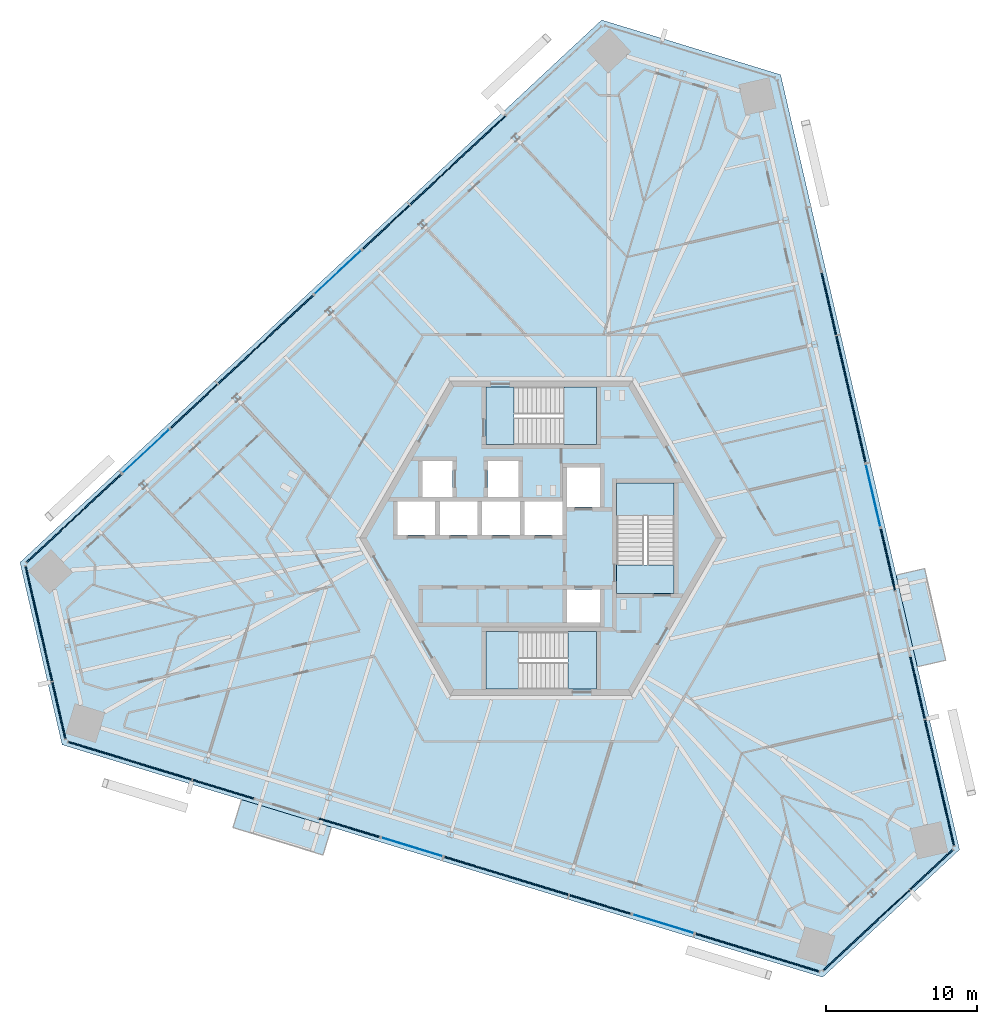
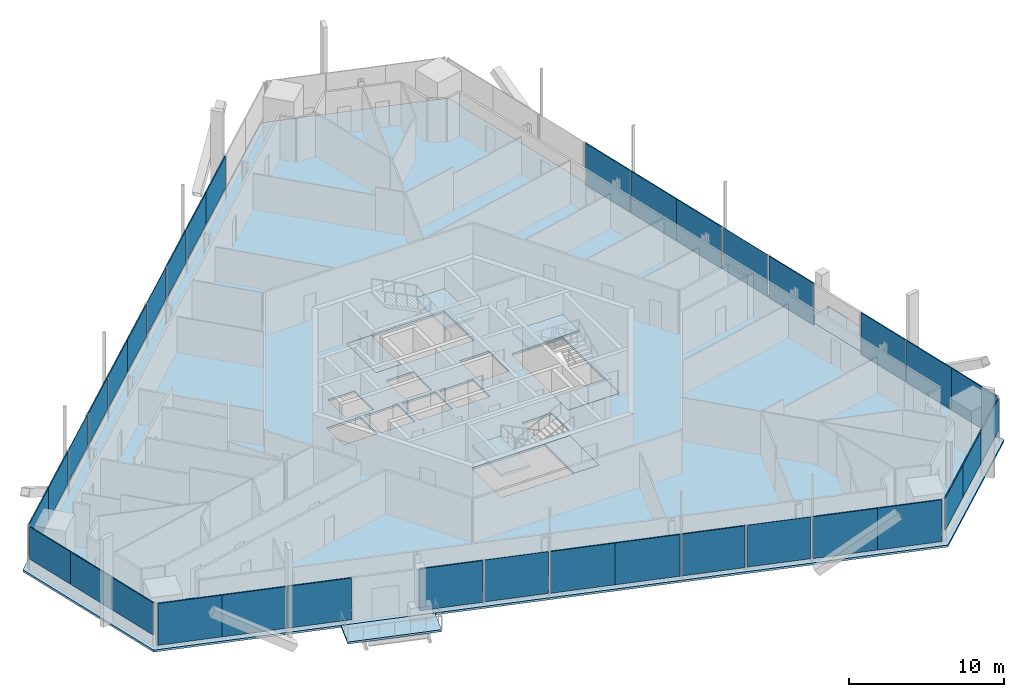
# One storey, part 11 of 24: 35 plates, 9 slabs, 20 elements without a shape of their own.
"""IFC4 building model written with IfcOpenShell, lengths in metres."""

from ifc_helpers import new_model, si_unit, direction, frame, origin, origin_2d, place, context, subcontext, project, spatial, polyline, rectangle, outline, extrude, source, transform, mapped, material, layer, layer_set, type_object, element, aggregate, save


model = new_model("IFC4")

# Units and contexts
model_context = context("Model", 3, precision=1e-05, world=origin(), true_north=direction((0.0, 1.0)))
body_context = subcontext(model_context, "Body", "Model", "MODEL_VIEW")
ifc_project = project(units=[si_unit("LENGTHUNIT", "METRE"), si_unit("AREAUNIT", "SQUARE_METRE"), si_unit("VOLUMEUNIT", "CUBIC_METRE"), si_unit("PLANEANGLEUNIT", "RADIAN"), si_unit("MASSUNIT", "GRAM", prefix="KILO")], contexts=[model_context])

# Site, building, storey
site_placement = place(None, origin())
site = spatial("IfcSite", under=ifc_project, at=site_placement, CompositionType="ELEMENT")
building_placement = place(site_placement, origin())
building = spatial("IfcBuilding", under=site, at=building_placement, Name="Triune Harvest Tower", CompositionType="ELEMENT")
storey_placement = place(building_placement, frame((0.0, 0.0, 127.10009765625)))
storey = spatial("IfcBuildingStorey", under=building, at=storey_placement, Name="L32", CompositionType="ELEMENT", Elevation=127.10009765625)

# Slabs
ifc_material_1 = material(Name="Concrete 40 MPa", Category="concrete")
ifc_layer_1 = layer(ifc_material_1, 0.159912109375)
ifc_layer_set_1 = layer_set([ifc_layer_1], Name="Concrete 40 MPa")
slab_type_1 = type_object("IfcSlabType", Name="BA-1 balcony slab 160", PredefinedType="FLOOR", material=ifc_layer_set_1)
slab_1_placement = place(storey_placement, frame((0.0, 0.0, -0.16015625)))
element("IfcSlab", 1, at=slab_1_placement, inside=storey, type_object=slab_type_1, Name="Balcony slab B3-F1 L32.4", PredefinedType="FLOOR", context=body_context, shape_type="SweptSolid", body=[
    extrude(outline(polyline([(24.875, -8.505615234375), (23.476318359375, -2.4462890625), (25.35791015625, -2.01171875), (26.7568359375, -8.0712890625), (24.875, -8.505615234375)])), origin(), (0.0, 0.0, 1.0), 0.16015625),
])
slab_2_placement = place(storey_placement, frame((0.0, 0.0, -0.16015625)))
element("IfcSlab", 2, at=slab_2_placement, inside=storey, type_object=slab_type_1, Name="Balcony slab B3-F5 L32.4", PredefinedType="FLOOR", context=body_context, shape_type="SweptSolid", body=[
    extrude(outline(polyline([(-19.8037109375, -17.28955078125), (-13.8564453125, -19.10791015625), (-14.421142578125, -20.954833984375), (-20.368408203125, -19.136474609375), (-19.8037109375, -17.28955078125)])), origin(), (0.0, 0.0, 1.0), 0.16015625),
])
ifc_material_2 = material(Name="Concrete 40 MPa", Category="concrete")
ifc_layer_2 = layer(ifc_material_2, 0.159912109375)
ifc_layer_set_2 = layer_set([ifc_layer_2], Name="Concrete 40 MPa")
slab_type_2 = type_object("IfcSlabType", Name="SL-1 Composite floor slab 160", PredefinedType="FLOOR", material=ifc_layer_set_2)
shared_shape_1 = source(origin(), body_context, "Body", "SweptSolid", [
    extrude(outline(polyline([(27.666748046875, -20.59765625), (15.83740234375, 30.641357421875), (4.004638671875, 34.2587890625), (-34.454833984375, -1.60498046875), (-31.67138671875, -13.661376953125), (18.617431640625, -29.0361328125), (27.666748046875, -20.59765625)]), holes=[polyline([(-7.0, 0.2099609375), (-7.0, 2.409912109375), (-9.5, 2.409912109375), (-9.5, 0.2099609375), (-7.0, 0.2099609375)]), polyline([(-4.199951171875, 0.2099609375), (-4.199951171875, 2.409912109375), (-6.699951171875, 2.409912109375), (-6.699951171875, 0.2099609375), (-4.199951171875, 0.2099609375)]), polyline([(-1.39990234375, 0.2099609375), (-1.39990234375, 2.409912109375), (-3.89990234375, 2.409912109375), (-3.89990234375, 0.2099609375), (-1.39990234375, 0.2099609375)]), polyline([(1.39990234375, 0.2099609375), (1.39990234375, 2.409912109375), (-1.10009765625, 2.409912109375), (-1.10009765625, 0.2099609375), (1.39990234375, 0.2099609375)]), polyline([(3.89990234375, 2.06005859375), (3.89990234375, 4.659912109375), (1.699951171875, 4.659912109375), (1.699951171875, 2.06005859375), (3.89990234375, 2.06005859375)]), polyline([(3.89990234375, -5.590087890625), (3.89990234375, -3.389892578125), (1.699951171875, -3.389892578125), (1.699951171875, -5.590087890625), (3.89990234375, -5.590087890625)]), polyline([(-5.85009765625, 2.7099609375), (-5.85009765625, 5.110107421875), (-7.85009765625, 5.110107421875), (-7.85009765625, 2.7099609375), (-5.85009765625, 2.7099609375)]), polyline([(-1.5, 2.7099609375), (-1.5, 5.110107421875), (-3.5, 5.110107421875), (-3.5, 2.7099609375), (-1.5, 2.7099609375)]), polyline([(3.64990234375, 6.18994140625), (3.64990234375, 9.989990234375), (-3.64990234375, 9.989990234375), (-3.64990234375, 6.18994140625), (3.64990234375, 6.18994140625)]), polyline([(3.64990234375, -9.989990234375), (3.64990234375, -6.18994140625), (-3.64990234375, -6.18994140625), (-3.64990234375, -9.989990234375), (3.64990234375, -9.989990234375)]), polyline([(8.800048828125, -3.64990234375), (8.800048828125, 3.64990234375), (5.0, 3.64990234375), (5.0, -3.64990234375), (8.800048828125, -3.64990234375)])]), origin(), (0.0, 0.0, 1.0), 0.16015625),
])
slab_3_placement = place(storey_placement, frame((0.0, 0.0, -0.16015625)))
element("IfcSlab", 3, at=slab_3_placement, inside=storey, type_object=slab_type_2, Name="slab/L32/1", PredefinedType="FLOOR", context=body_context, shape_type="MappedRepresentation", body=[
    mapped(shared_shape_1, transform((0.0, 0.0, 0.0), scale=1.0)),
])

# Stair, slabs
ifc_material_3 = material(Name="Concrete 40 MPa", Category="concrete")
stair_type = type_object("IfcStairType", Name="Exit stair 1800 half turn", PredefinedType="HALF_TURN_STAIR", material=ifc_material_3)
stair_1_placement = place(storey_placement, origin())
stair_1 = element("IfcStair", 4, at=stair_1_placement, inside=storey, type_object=stair_type, Name="Exit stair north", PredefinedType="HALF_TURN_STAIR")
ifc_material_4 = material(Name="Concrete 40 MPa", Category="concrete")
ifc_layer_3 = layer(ifc_material_4, 0.199951171875)
ifc_layer_set_3 = layer_set([ifc_layer_3], Name="Concrete 40 MPa")
slab_type_3 = type_object("IfcSlabType", Name="Stair landing 200", PredefinedType="LANDING", material=ifc_layer_set_3)
shared_shape_2 = source(origin(), body_context, "Body", "SweptSolid", [
    extrude(outline(polyline([(1.510009765625, 6.18994140625), (3.64990234375, 6.18994140625), (3.64990234375, 9.989990234375), (1.510009765625, 9.989990234375), (1.510009765625, 6.18994140625)])), origin(), (0.0, 0.0, 1.0), 0.199951171875),
])
slab_4_placement = place(storey_placement, frame((0.0, 0.0, 1.599853515625)))
slab_4 = element("IfcSlab", 5, at=slab_4_placement, type_object=slab_type_3, Name="ST-1 landing 2", PredefinedType="LANDING", context=body_context, shape_type="MappedRepresentation", body=[
    mapped(shared_shape_2, transform((0.0, 0.0, 0.0), scale=1.0)),
])
shared_shape_3 = source(origin(), body_context, "Body", "SweptSolid", [
    extrude(outline(polyline([(-3.64990234375, 6.18994140625), (-1.780029296875, 6.18994140625), (-1.780029296875, 9.989990234375), (-3.64990234375, 9.989990234375), (-3.64990234375, 6.18994140625)])), origin(), (0.0, 0.0, 1.0), 0.2001953125),
])
slab_5_placement = place(storey_placement, frame((0.0, 0.0, -0.2001953125)))
slab_5 = element("IfcSlab", 6, at=slab_5_placement, type_object=slab_type_3, Name="ST-1 landing 1", PredefinedType="LANDING", context=body_context, shape_type="MappedRepresentation", body=[
    mapped(shared_shape_3, transform((0.0, 0.0, 0.0), scale=1.0)),
])
aggregate(stair_1, [slab_5, slab_4])

stair_2_placement = place(storey_placement, origin())
stair_2 = element("IfcStair", 7, at=stair_2_placement, inside=storey, type_object=stair_type, Name="Exit stair south", PredefinedType="HALF_TURN_STAIR")
shared_shape_4 = source(origin(), body_context, "Body", "SweptSolid", [
    extrude(outline(polyline([(-1.510009765625, -6.18994140625), (-3.64990234375, -6.18994140625), (-3.64990234375, -9.989990234375), (-1.510009765625, -9.989990234375), (-1.510009765625, -6.18994140625)])), origin(), (0.0, 0.0, 1.0), 0.199951171875),
])
slab_6_placement = place(storey_placement, frame((0.0, 0.0, 1.599853515625)))
slab_6 = element("IfcSlab", 8, at=slab_6_placement, type_object=slab_type_3, Name="ST-2 landing 2", PredefinedType="LANDING", context=body_context, shape_type="MappedRepresentation", body=[
    mapped(shared_shape_4, transform((0.0, 0.0, 0.0), scale=1.0)),
])
shared_shape_5 = source(origin(), body_context, "Body", "SweptSolid", [
    extrude(outline(polyline([(3.64990234375, -6.18994140625), (1.780029296875, -6.18994140625), (1.780029296875, -9.989990234375), (3.64990234375, -9.989990234375), (3.64990234375, -6.18994140625)])), origin(), (0.0, 0.0, 1.0), 0.2001953125),
])
slab_7_placement = place(storey_placement, frame((0.0, 0.0, -0.2001953125)))
slab_7 = element("IfcSlab", 9, at=slab_7_placement, type_object=slab_type_3, Name="ST-2 landing 1", PredefinedType="LANDING", context=body_context, shape_type="MappedRepresentation", body=[
    mapped(shared_shape_5, transform((0.0, 0.0, 0.0), scale=1.0)),
])
aggregate(stair_2, [slab_7, slab_6])

stair_3_placement = place(storey_placement, origin())
stair_3 = element("IfcStair", 10, at=stair_3_placement, inside=storey, type_object=stair_type, Name="Exit stair east", PredefinedType="HALF_TURN_STAIR")
shared_shape_6 = source(origin(), body_context, "Body", "SweptSolid", [
    extrude(outline(polyline([(8.800048828125, 1.510009765625), (8.800048828125, 3.64990234375), (5.0, 3.64990234375), (5.0, 1.510009765625), (8.800048828125, 1.510009765625)])), origin(), (0.0, 0.0, 1.0), 0.199951171875),
])
slab_8_placement = place(storey_placement, frame((0.0, 0.0, 1.599853515625)))
slab_8 = element("IfcSlab", 11, at=slab_8_placement, type_object=slab_type_3, Name="ST-3 landing 2", PredefinedType="LANDING", context=body_context, shape_type="MappedRepresentation", body=[
    mapped(shared_shape_6, transform((0.0, 0.0, 0.0), scale=1.0)),
])
shared_shape_7 = source(origin(), body_context, "Body", "SweptSolid", [
    extrude(outline(polyline([(8.800048828125, -3.64990234375), (8.800048828125, -1.780029296875), (5.0, -1.780029296875), (5.0, -3.64990234375), (8.800048828125, -3.64990234375)])), origin(), (0.0, 0.0, 1.0), 0.2001953125),
])
slab_9_placement = place(storey_placement, frame((0.0, 0.0, -0.2001953125)))
slab_9 = element("IfcSlab", 12, at=slab_9_placement, type_object=slab_type_3, Name="ST-3 landing 1", PredefinedType="LANDING", context=body_context, shape_type="MappedRepresentation", body=[
    mapped(shared_shape_7, transform((0.0, 0.0, 0.0), scale=1.0)),
])
aggregate(stair_3, [slab_9, slab_8])

# Curtain wall, plate
ifc_material_5 = material(Name="Aluminium bronze anodised", Category="aluminium")
curtain_wall_type_1 = type_object("IfcCurtainWallType", Name="CW-7 Tower stick curtain wall with insulated spandrel infill", PredefinedType="NOTDEFINED", material=ifc_material_5)
curtain_wall_1_placement = place(storey_placement, origin())
curtain_wall_1 = element("IfcCurtainWall", 13, at=curtain_wall_1_placement, inside=storey, type_object=curtain_wall_type_1, Name="CW-7 B3-F3 L32 run 2001")
ifc_material_6 = material(Name="Insulated spandrel panel, bronze aluminium pan", Category="aluminium")
ifc_layer_4 = layer(ifc_material_6, 0.080078125)
ifc_layer_set_4 = layer_set([ifc_layer_4], Name="Insulated spandrel panel, bronze aluminium pan")
plate_type_1 = type_object("IfcPlateType", Name="SP-1 insulated spandrel panel 80", PredefinedType="CURTAIN_PANEL", material=ifc_layer_set_4)
shared_shape_8 = source(origin(), body_context, "Body", "SweptSolid", [
    extrude(rectangle(XDim=4.263427734375, YDim=0.080078125, at=origin_2d()), origin(), (0.0, 0.0, 1.0), 2.5400390625),
])
plate_1_placement = place(storey_placement, frame((-16.63427734375, 14.6025390625, 0.89990234375), z_axis=(0.0, 0.0, 1.0), x_axis=(-0.731354903071, -0.681997071661, 0.0)))
plate_1 = element("IfcPlate", 14, at=plate_1_placement, type_object=plate_type_1, Name="CW-7 panel B3-F3 2001.1", PredefinedType="CURTAIN_PANEL", context=body_context, shape_type="MappedRepresentation", body=[
    mapped(shared_shape_8, transform((0.0, 0.0, 0.0), scale=1.0)),
])

# Curtain wall, plates
curtain_wall_2_placement = place(storey_placement, origin())
curtain_wall_2 = element("IfcCurtainWall", 15, at=curtain_wall_2_placement, inside=storey, type_object=curtain_wall_type_1, Name="CW-7 B3-F3 L32 run 4001")
plate_2_placement = place(storey_placement, frame((-29.32568359375, 2.767578125, 0.89990234375), z_axis=(0.0, 0.0, 1.0), x_axis=(-0.731354494176, -0.681997510149, 0.0)))
plate_2 = element("IfcPlate", 16, at=plate_2_placement, type_object=plate_type_1, Name="CW-7 panel B3-F3 4001.1", PredefinedType="CURTAIN_PANEL", context=body_context, shape_type="MappedRepresentation", body=[
    mapped(shared_shape_8, transform((0.0, 0.0, 0.0), scale=1.0)),
])
plate_3_placement = place(storey_placement, frame((-32.44384765625, -0.14013671875, 0.89990234375), z_axis=(0.0, 0.0, 1.0), x_axis=(-0.731354494176, -0.681997510149, 0.0)))
plate_3 = element("IfcPlate", 17, at=plate_3_placement, type_object=plate_type_1, Name="CW-7 panel B3-F3 4001.2", PredefinedType="CURTAIN_PANEL", context=body_context, shape_type="MappedRepresentation", body=[
    mapped(shared_shape_8, transform((0.0, 0.0, 0.0), scale=1.0)),
])
aggregate(curtain_wall_2, [plate_2, plate_3])

curtain_wall_3_placement = place(storey_placement, origin())
curtain_wall_3 = element("IfcCurtainWall", 18, at=curtain_wall_3_placement, inside=storey, type_object=curtain_wall_type_1, Name="CW-7 B3-F3 L32 run 1")
shared_shape_9 = source(origin(), body_context, "Body", "SweptSolid", [
    extrude(rectangle(XDim=4.30078125, YDim=0.080078125, at=origin_2d()), origin(), (0.0, 0.0, 1.0), 2.5400390625),
])
plate_4_placement = place(storey_placement, frame((-3.92919921875, 26.450439453125, 0.89990234375), z_axis=(0.0, 0.0, 1.0), x_axis=(-0.731354894691, -0.681997080647, 0.0)))
plate_4 = element("IfcPlate", 19, at=plate_4_placement, type_object=plate_type_1, Name="CW-7 panel B3-F3 1.3", PredefinedType="CURTAIN_PANEL", context=body_context, shape_type="MappedRepresentation", body=[
    mapped(shared_shape_9, transform((0.0, 0.0, 0.0), scale=1.0)),
])
plate_5_placement = place(storey_placement, frame((-7.074462890625, 23.51708984375, 0.89990234375), z_axis=(0.0, 0.0, 1.0), x_axis=(-0.731354894691, -0.681997080647, 0.0)))
plate_5 = element("IfcPlate", 20, at=plate_5_placement, type_object=plate_type_1, Name="CW-7 panel B3-F3 1.4", PredefinedType="CURTAIN_PANEL", context=body_context, shape_type="MappedRepresentation", body=[
    mapped(shared_shape_9, transform((0.0, 0.0, 0.0), scale=1.0)),
])

# Plate
plate_6_placement = place(storey_placement, frame((-19.76611328125, 11.68212890625, 0.89990234375), z_axis=(0.0, 0.0, 1.0), x_axis=(-0.731354903071, -0.681997071661, 0.0)))
plate_6 = element("IfcPlate", 21, at=plate_6_placement, type_object=plate_type_1, Name="CW-7 panel B3-F3 2001.2", PredefinedType="CURTAIN_PANEL", context=body_context, shape_type="MappedRepresentation", body=[
    mapped(shared_shape_9, transform((0.0, 0.0, 0.0), scale=1.0)),
])

# Curtain wall, plate
ifc_material_7 = material(Name="Aluminium bronze anodised", Category="aluminium")
curtain_wall_type_2 = type_object("IfcCurtainWallType", Name="CW-10 Balcony window wall with insulated spandrel infill", PredefinedType="NOTDEFINED", material=ifc_material_7)
curtain_wall_4_placement = place(storey_placement, origin())
curtain_wall_4 = element("IfcCurtainWall", 22, at=curtain_wall_4_placement, inside=storey, type_object=curtain_wall_type_2, Name="CW-10 B3-F1 L32 run 1")
shared_shape_10 = source(origin(), body_context, "Body", "SweptSolid", [
    extrude(rectangle(XDim=4.248291015625, YDim=0.080078125, at=origin_2d()), origin(), (0.0, 0.0, 1.0), 3.2900390625),
])
plate_7_placement = place(storey_placement, frame((26.820556640625, -18.265869140625, 0.14990234375), z_axis=(0.0, 0.0, 1.0), x_axis=(-0.22495121687, 0.974370027263, 0.0)))
plate_7 = element("IfcPlate", 23, at=plate_7_placement, type_object=plate_type_1, Name="CW-10 panel B3-F1 1.1", PredefinedType="CURTAIN_PANEL", context=body_context, shape_type="MappedRepresentation", body=[
    mapped(shared_shape_10, transform((0.0, 0.0, 0.0), scale=1.0)),
])

curtain_wall_5_placement = place(storey_placement, origin())
curtain_wall_5 = element("IfcCurtainWall", 24, at=curtain_wall_5_placement, inside=storey, type_object=curtain_wall_type_2, Name="CW-10 B3-F5 L32 run 1")
plate_8_placement = place(storey_placement, frame((-29.22900390625, -14.09423828125, 0.14990234375), z_axis=(0.0, 0.0, 1.0), x_axis=(0.956304229664, -0.292373426164, 0.0)))
plate_8 = element("IfcPlate", 25, at=plate_8_placement, type_object=plate_type_1, Name="CW-10 panel B3-F5 1.1", PredefinedType="CURTAIN_PANEL", context=body_context, shape_type="MappedRepresentation", body=[
    mapped(shared_shape_10, transform((0.0, 0.0, 0.0), scale=1.0)),
])

# Plate
shared_shape_11 = source(origin(), body_context, "Body", "SweptSolid", [
    extrude(rectangle(XDim=4.285888671875, YDim=0.080078125, at=origin_2d()), origin(), (0.0, 0.0, 1.0), 3.2900390625),
])
plate_9_placement = place(storey_placement, frame((25.860595703125, -14.108154296875, 0.14990234375), z_axis=(0.0, 0.0, 1.0), x_axis=(-0.22495121687, 0.974370027263, 0.0)))
plate_9 = element("IfcPlate", 26, at=plate_9_placement, type_object=plate_type_1, Name="CW-10 panel B3-F1 1.2", PredefinedType="CURTAIN_PANEL", context=body_context, shape_type="MappedRepresentation", body=[
    mapped(shared_shape_11, transform((0.0, 0.0, 0.0), scale=1.0)),
])

plate_10_placement = place(storey_placement, frame((-25.148193359375, -15.341796875, 0.14990234375), z_axis=(0.0, 0.0, 1.0), x_axis=(0.956304229664, -0.292373426164, 0.0)))
plate_10 = element("IfcPlate", 27, at=plate_10_placement, type_object=plate_type_1, Name="CW-10 panel B3-F5 1.2", PredefinedType="CURTAIN_PANEL", context=body_context, shape_type="MappedRepresentation", body=[
    mapped(shared_shape_11, transform((0.0, 0.0, 0.0), scale=1.0)),
])

shared_shape_12 = source(origin(), body_context, "Body", "SweptSolid", [
    extrude(rectangle(XDim=4.2109375, YDim=0.080078125, at=origin_2d()), origin(), (0.0, 0.0, 1.0), 3.2900390625),
])
plate_11_placement = place(storey_placement, frame((24.88818359375, -9.8955078125, 0.14990234375), z_axis=(0.0, 0.0, 1.0), x_axis=(-0.22495121687, 0.974370027263, 0.0)))
plate_11 = element("IfcPlate", 28, at=plate_11_placement, type_object=plate_type_1, Name="CW-10 panel B3-F1 1.3", PredefinedType="CURTAIN_PANEL", context=body_context, shape_type="MappedRepresentation", body=[
    mapped(shared_shape_12, transform((0.0, 0.0, 0.0), scale=1.0)),
])

aggregate(curtain_wall_4, [plate_7, plate_9, plate_11])

plate_12_placement = place(storey_placement, frame((-21.013916015625, -16.60595703125, 0.14990234375), z_axis=(0.0, 0.0, 1.0), x_axis=(0.956304229664, -0.292373426164, 0.0)))
plate_12 = element("IfcPlate", 29, at=plate_12_placement, type_object=plate_type_1, Name="CW-10 panel B3-F5 1.3", PredefinedType="CURTAIN_PANEL", context=body_context, shape_type="MappedRepresentation", body=[
    mapped(shared_shape_12, transform((0.0, 0.0, 0.0), scale=1.0)),
])

aggregate(curtain_wall_5, [plate_8, plate_10, plate_12])

# Curtain wall, plate
curtain_wall_6_placement = place(storey_placement, origin())
curtain_wall_6 = element("IfcCurtainWall", 30, at=curtain_wall_6_placement, inside=storey, type_object=curtain_wall_type_2, Name="CW-10 B3-F1 L32 run 2002")
shared_shape_13 = source(origin(), body_context, "Body", "SweptSolid", [
    extrude(rectangle(XDim=4.26708984375, YDim=0.080078125, at=origin_2d()), origin(), (0.0, 0.0, 1.0), 3.2900390625),
])
plate_13_placement = place(storey_placement, frame((20.968017578125, 7.08447265625, 0.14990234375), z_axis=(0.0, 0.0, 1.0), x_axis=(-0.224951454035, 0.974369972509, 0.0)))
plate_13 = element("IfcPlate", 31, at=plate_13_placement, type_object=plate_type_1, Name="CW-10 panel B3-F1 2002.1", PredefinedType="CURTAIN_PANEL", context=body_context, shape_type="MappedRepresentation", body=[
    mapped(shared_shape_13, transform((0.0, 0.0, 0.0), scale=1.0)),
])

curtain_wall_7_placement = place(storey_placement, origin())
curtain_wall_7 = element("IfcCurtainWall", 32, at=curtain_wall_7_placement, inside=storey, type_object=curtain_wall_type_2, Name="CW-10 B3-F5 L32 run 2002")
plate_14_placement = place(storey_placement, frame((-4.3486328125, -21.700927734375, 0.14990234375), z_axis=(0.0, 0.0, 1.0), x_axis=(0.956305791483, -0.292368317667, 0.0)))
plate_14 = element("IfcPlate", 33, at=plate_14_placement, type_object=plate_type_1, Name="CW-10 panel B3-F5 2002.1", PredefinedType="CURTAIN_PANEL", context=body_context, shape_type="MappedRepresentation", body=[
    mapped(shared_shape_13, transform((0.0, 0.0, 0.0), scale=1.0)),
])

# Curtain wall, plates
curtain_wall_8_placement = place(storey_placement, origin())
curtain_wall_8 = element("IfcCurtainWall", 34, at=curtain_wall_8_placement, inside=storey, type_object=curtain_wall_type_2, Name="CW-10 B3-F5 L32 run 4002")
plate_15_placement = place(storey_placement, frame((12.2607421875, -26.779052734375, 0.14990234375), z_axis=(0.0, 0.0, 1.0), x_axis=(0.956302346753, -0.292379584777, 0.0)))
plate_15 = element("IfcPlate", 35, at=plate_15_placement, type_object=plate_type_1, Name="CW-10 panel B3-F5 4002.1", PredefinedType="CURTAIN_PANEL", context=body_context, shape_type="MappedRepresentation", body=[
    mapped(shared_shape_13, transform((0.0, 0.0, 0.0), scale=1.0)),
])
plate_16_placement = place(storey_placement, frame((16.341552734375, -28.026611328125, 0.14990234375), z_axis=(0.0, 0.0, 1.0), x_axis=(0.956302346753, -0.292379584777, 0.0)))
plate_16 = element("IfcPlate", 36, at=plate_16_placement, type_object=plate_type_1, Name="CW-10 panel B3-F5 4002.2", PredefinedType="CURTAIN_PANEL", context=body_context, shape_type="MappedRepresentation", body=[
    mapped(shared_shape_13, transform((0.0, 0.0, 0.0), scale=1.0)),
])
aggregate(curtain_wall_8, [plate_15, plate_16])

# Plate
shared_shape_14 = source(origin(), body_context, "Body", "SweptSolid", [
    extrude(rectangle(XDim=4.3046875, YDim=0.080078125, at=origin_2d()), origin(), (0.0, 0.0, 1.0), 3.2900390625),
])
plate_17_placement = place(storey_placement, frame((20.00390625, 11.260498046875, 0.14990234375), z_axis=(0.0, 0.0, 1.0), x_axis=(-0.224951454035, 0.974369972509, 0.0)))
plate_17 = element("IfcPlate", 37, at=plate_17_placement, type_object=plate_type_1, Name="CW-10 panel B3-F1 2002.2", PredefinedType="CURTAIN_PANEL", context=body_context, shape_type="MappedRepresentation", body=[
    mapped(shared_shape_14, transform((0.0, 0.0, 0.0), scale=1.0)),
])

plate_18_placement = place(storey_placement, frame((-0.250244140625, -22.9541015625, 0.14990234375), z_axis=(0.0, 0.0, 1.0), x_axis=(0.956305791483, -0.292368317667, 0.0)))
plate_18 = element("IfcPlate", 38, at=plate_18_placement, type_object=plate_type_1, Name="CW-10 panel B3-F5 2002.2", PredefinedType="CURTAIN_PANEL", context=body_context, shape_type="MappedRepresentation", body=[
    mapped(shared_shape_14, transform((0.0, 0.0, 0.0), scale=1.0)),
])

shared_shape_15 = source(origin(), body_context, "Body", "SweptSolid", [
    extrude(rectangle(XDim=4.229736328125, YDim=0.080078125, at=origin_2d()), origin(), (0.0, 0.0, 1.0), 3.2900390625),
])
plate_19_placement = place(storey_placement, frame((19.027099609375, 15.4912109375, 0.14990234375), z_axis=(0.0, 0.0, 1.0), x_axis=(-0.224951454035, 0.974369972509, 0.0)))
plate_19 = element("IfcPlate", 39, at=plate_19_placement, type_object=plate_type_1, Name="CW-10 panel B3-F1 2002.3", PredefinedType="CURTAIN_PANEL", context=body_context, shape_type="MappedRepresentation", body=[
    mapped(shared_shape_15, transform((0.0, 0.0, 0.0), scale=1.0)),
])

aggregate(curtain_wall_6, [plate_13, plate_17, plate_19])

plate_20_placement = place(storey_placement, frame((3.90234375, -24.2236328125, 0.14990234375), z_axis=(0.0, 0.0, 1.0), x_axis=(0.956305791483, -0.292368317667, 0.0)))
plate_20 = element("IfcPlate", 40, at=plate_20_placement, type_object=plate_type_1, Name="CW-10 panel B3-F5 2002.3", PredefinedType="CURTAIN_PANEL", context=body_context, shape_type="MappedRepresentation", body=[
    mapped(shared_shape_15, transform((0.0, 0.0, 0.0), scale=1.0)),
])

aggregate(curtain_wall_7, [plate_14, plate_18, plate_20])

shared_shape_16 = source(origin(), body_context, "Body", "SweptSolid", [
    extrude(rectangle(XDim=4.225830078125, YDim=0.080078125, at=origin_2d()), origin(), (0.0, 0.0, 1.0), 2.5400390625),
])
plate_21_placement = place(storey_placement, frame((-10.24755859375, 20.558349609375, 0.89990234375), z_axis=(0.0, 0.0, 1.0), x_axis=(-0.731354894691, -0.681997080647, 0.0)))
plate_21 = element("IfcPlate", 41, at=plate_21_placement, type_object=plate_type_1, Name="CW-7 panel B3-F3 1.5", PredefinedType="CURTAIN_PANEL", context=body_context, shape_type="MappedRepresentation", body=[
    mapped(shared_shape_16, transform((0.0, 0.0, 0.0), scale=1.0)),
])

aggregate(curtain_wall_3, [plate_4, plate_5, plate_21])

plate_22_placement = place(storey_placement, frame((-22.93896484375, 8.723388671875, 0.89990234375), z_axis=(0.0, 0.0, 1.0), x_axis=(-0.731354903071, -0.681997071661, 0.0)))
plate_22 = element("IfcPlate", 42, at=plate_22_placement, type_object=plate_type_1, Name="CW-7 panel B3-F3 2001.3", PredefinedType="CURTAIN_PANEL", context=body_context, shape_type="MappedRepresentation", body=[
    mapped(shared_shape_16, transform((0.0, 0.0, 0.0), scale=1.0)),
])

aggregate(curtain_wall_1, [plate_1, plate_6, plate_22])

# Curtain wall, plate
curtain_wall_9_placement = place(storey_placement, origin())
curtain_wall_9 = element("IfcCurtainWall", 43, at=curtain_wall_9_placement, inside=storey, type_object=curtain_wall_type_2, Name="CW-10 B3-F1 L32 run 2")
shared_shape_17 = source(origin(), body_context, "Body", "SweptSolid", [
    extrude(rectangle(XDim=4.192138671875, YDim=0.080078125, at=origin_2d()), origin(), (0.0, 0.0, 1.0), 3.2900390625),
])
plate_23_placement = place(storey_placement, frame((22.929931640625, -1.413818359375, 0.14990234375), z_axis=(0.0, 0.0, 1.0), x_axis=(-0.224945848355, 0.974371266668, 0.0)))
plate_23 = element("IfcPlate", 44, at=plate_23_placement, type_object=plate_type_1, Name="CW-10 panel B3-F1 2.1", PredefinedType="CURTAIN_PANEL", context=body_context, shape_type="MappedRepresentation", body=[
    mapped(shared_shape_17, transform((0.0, 0.0, 0.0), scale=1.0)),
])
aggregate(curtain_wall_9, [plate_23])

curtain_wall_10_placement = place(storey_placement, origin())
curtain_wall_10 = element("IfcCurtainWall", 45, at=curtain_wall_10_placement, inside=storey, type_object=curtain_wall_type_2, Name="CW-10 B3-F5 L32 run 2")
plate_24_placement = place(storey_placement, frame((-12.689453125, -19.151123046875, 0.14990234375), z_axis=(0.0, 0.0, 1.0), x_axis=(0.956300186117, -0.292386651596, 0.0)))
plate_24 = element("IfcPlate", 46, at=plate_24_placement, type_object=plate_type_1, Name="CW-10 panel B3-F5 2.1", PredefinedType="CURTAIN_PANEL", context=body_context, shape_type="MappedRepresentation", body=[
    mapped(shared_shape_17, transform((0.0, 0.0, 0.0), scale=1.0)),
])
aggregate(curtain_wall_10, [plate_24])

ifc_material_8 = material(Name="Aluminium bronze anodised", Category="aluminium")
curtain_wall_type_3 = type_object("IfcCurtainWallType", Name="CW-6 Balcony window wall", PredefinedType="NOTDEFINED", material=ifc_material_8)
curtain_wall_11_placement = place(storey_placement, origin())
curtain_wall_11 = element("IfcCurtainWall", 47, at=curtain_wall_11_placement, inside=storey, type_object=curtain_wall_type_3, Name="CW-6 B3-F1 L32 run 1002")
ifc_material_9 = material(Name="Glass", Category="glass")
ifc_layer_5 = layer(ifc_material_9, 0.030029296875)
ifc_layer_set_5 = layer_set([ifc_layer_5], Name="Glass")
plate_type_2 = type_object("IfcPlateType", Name="GL-6 panel 30", PredefinedType="CURTAIN_PANEL", material=ifc_layer_set_5)
shared_shape_18 = source(origin(), body_context, "Body", "SweptSolid", [
    extrude(rectangle(XDim=4.192138671875, YDim=0.030029296875, at=origin_2d()), origin(), (0.0, 0.0, 1.0), 3.2900390625),
])
plate_25_placement = place(storey_placement, frame((21.953125, 2.81689453125, 0.14990234375), z_axis=(0.0, 0.0, 1.0), x_axis=(-0.224960424995, 0.974367901353, 0.0)))
plate_25 = element("IfcPlate", 48, at=plate_25_placement, type_object=plate_type_2, Name="CW-6 panel B3-F1 1002.1", PredefinedType="CURTAIN_PANEL", context=body_context, shape_type="MappedRepresentation", body=[
    mapped(shared_shape_18, transform((0.0, 0.0, 0.0), scale=1.0)),
])
aggregate(curtain_wall_11, [plate_25])

curtain_wall_12_placement = place(storey_placement, origin())
curtain_wall_12 = element("IfcCurtainWall", 49, at=curtain_wall_12_placement, inside=storey, type_object=curtain_wall_type_3, Name="CW-6 B3-F5 L32 run 1002")
plate_26_placement = place(storey_placement, frame((-8.537109375, -20.420654296875, 0.14990234375), z_axis=(0.0, 0.0, 1.0), x_axis=(0.956305791483, -0.292368317667, 0.0)))
plate_26 = element("IfcPlate", 50, at=plate_26_placement, type_object=plate_type_2, Name="CW-6 panel B3-F5 1002.1", PredefinedType="CURTAIN_PANEL", context=body_context, shape_type="MappedRepresentation", body=[
    mapped(shared_shape_18, transform((0.0, 0.0, 0.0), scale=1.0)),
])
aggregate(curtain_wall_12, [plate_26])

curtain_wall_13_placement = place(storey_placement, origin())
curtain_wall_13 = element("IfcCurtainWall", 51, at=curtain_wall_13_placement, inside=storey, type_object=curtain_wall_type_3, Name="CW-6 B3-F5 L32 run 3002")
plate_27_placement = place(storey_placement, frame((8.072509765625, -25.49853515625, 0.14990234375), z_axis=(0.0, 0.0, 1.0), x_axis=(0.956305791483, -0.292368317667, 0.0)))
plate_27 = element("IfcPlate", 52, at=plate_27_placement, type_object=plate_type_2, Name="CW-6 panel B3-F5 3002.1", PredefinedType="CURTAIN_PANEL", context=body_context, shape_type="MappedRepresentation", body=[
    mapped(shared_shape_18, transform((0.0, 0.0, 0.0), scale=1.0)),
])
aggregate(curtain_wall_13, [plate_27])

curtain_wall_14_placement = place(storey_placement, origin())
curtain_wall_14 = element("IfcCurtainWall", 53, at=curtain_wall_14_placement, inside=storey, type_object=curtain_wall_type_1, Name="CW-7 B3-F4 L32 run 1")
shared_shape_19 = source(origin(), body_context, "Body", "SweptSolid", [
    extrude(rectangle(XDim=3.8740234375, YDim=0.080078125, at=origin_2d()), origin(), (0.0, 0.0, 1.0), 2.5400390625),
])
plate_28_placement = place(storey_placement, frame((-33.650634765625, -3.75439453125, 0.89990234375), z_axis=(0.0, 0.0, 1.0), x_axis=(0.224946950683, -0.974371012181, 0.0)))
plate_28 = element("IfcPlate", 54, at=plate_28_placement, type_object=plate_type_1, Name="CW-7 panel B3-F4 1.1", PredefinedType="CURTAIN_PANEL", context=body_context, shape_type="MappedRepresentation", body=[
    mapped(shared_shape_19, transform((0.0, 0.0, 0.0), scale=1.0)),
])

curtain_wall_15_placement = place(storey_placement, origin())
curtain_wall_15 = element("IfcCurtainWall", 55, at=curtain_wall_15_placement, inside=storey, type_object=curtain_wall_type_1, Name="CW-7 B3-F6 L32 run 1")
plate_29_placement = place(storey_placement, frame((20.076904296875, -27.26513671875, 0.89990234375), z_axis=(0.0, 0.0, 1.0), x_axis=(0.731349946151, 0.682002387287, 0.0)))
plate_29 = element("IfcPlate", 56, at=plate_29_placement, type_object=plate_type_1, Name="CW-7 panel B3-F6 1.1", PredefinedType="CURTAIN_PANEL", context=body_context, shape_type="MappedRepresentation", body=[
    mapped(shared_shape_19, transform((0.0, 0.0, 0.0), scale=1.0)),
])

# Plate
shared_shape_20 = source(origin(), body_context, "Body", "SweptSolid", [
    extrude(rectangle(XDim=3.911376953125, YDim=0.080078125, at=origin_2d()), origin(), (0.0, 0.0, 1.0), 2.5400390625),
])
plate_30_placement = place(storey_placement, frame((-32.77490234375, -7.54736328125, 0.89990234375), z_axis=(0.0, 0.0, 1.0), x_axis=(0.224946950683, -0.974371012181, 0.0)))
plate_30 = element("IfcPlate", 57, at=plate_30_placement, type_object=plate_type_1, Name="CW-7 panel B3-F4 1.2", PredefinedType="CURTAIN_PANEL", context=body_context, shape_type="MappedRepresentation", body=[
    mapped(shared_shape_20, transform((0.0, 0.0, 0.0), scale=1.0)),
])

plate_31_placement = place(storey_placement, frame((22.923828125, -24.6103515625, 0.89990234375), z_axis=(0.0, 0.0, 1.0), x_axis=(0.731349946151, 0.682002387287, 0.0)))
plate_31 = element("IfcPlate", 58, at=plate_31_placement, type_object=plate_type_1, Name="CW-7 panel B3-F6 1.2", PredefinedType="CURTAIN_PANEL", context=body_context, shape_type="MappedRepresentation", body=[
    mapped(shared_shape_20, transform((0.0, 0.0, 0.0), scale=1.0)),
])

shared_shape_21 = source(origin(), body_context, "Body", "SweptSolid", [
    extrude(rectangle(XDim=3.83642578125, YDim=0.080078125, at=origin_2d()), origin(), (0.0, 0.0, 1.0), 2.5400390625),
])
plate_32_placement = place(storey_placement, frame((-31.88671875, -11.395263671875, 0.89990234375), z_axis=(0.0, 0.0, 1.0), x_axis=(0.224946950683, -0.974371012181, 0.0)))
plate_32 = element("IfcPlate", 59, at=plate_32_placement, type_object=plate_type_1, Name="CW-7 panel B3-F4 1.3", PredefinedType="CURTAIN_PANEL", context=body_context, shape_type="MappedRepresentation", body=[
    mapped(shared_shape_21, transform((0.0, 0.0, 0.0), scale=1.0)),
])

aggregate(curtain_wall_14, [plate_28, plate_30, plate_32])

plate_33_placement = place(storey_placement, frame((25.81201171875, -21.9169921875, 0.89990234375), z_axis=(0.0, 0.0, 1.0), x_axis=(0.731349946151, 0.682002387287, 0.0)))
plate_33 = element("IfcPlate", 60, at=plate_33_placement, type_object=plate_type_1, Name="CW-7 panel B3-F6 1.3", PredefinedType="CURTAIN_PANEL", context=body_context, shape_type="MappedRepresentation", body=[
    mapped(shared_shape_21, transform((0.0, 0.0, 0.0), scale=1.0)),
])

aggregate(curtain_wall_15, [plate_29, plate_31, plate_33])

# Curtain wall, plate
ifc_material_10 = material(Name="Aluminium bronze anodised", Category="aluminium")
curtain_wall_type_4 = type_object("IfcCurtainWallType", Name="CW-1 Tower stick curtain wall", PredefinedType="NOTDEFINED", material=ifc_material_10)
curtain_wall_16_placement = place(storey_placement, origin())
curtain_wall_16 = element("IfcCurtainWall", 61, at=curtain_wall_16_placement, inside=storey, type_object=curtain_wall_type_4, Name="CW-1 B3-F3 L32 run 1001")
ifc_material_11 = material(Name="Glass", Category="glass")
ifc_layer_6 = layer(ifc_material_11, 0.031982421875)
ifc_layer_set_6 = layer_set([ifc_layer_6], Name="Glass")
plate_type_3 = type_object("IfcPlateType", Name="GL-1 panel 32", PredefinedType="CURTAIN_PANEL", material=ifc_layer_set_6)
shared_shape_22 = source(origin(), body_context, "Body", "SweptSolid", [
    extrude(rectangle(XDim=4.188232421875, YDim=0.031982421875, at=origin_2d()), origin(), (0.0, 0.0, 1.0), 2.5400390625),
])
plate_34_placement = place(storey_placement, frame((-13.43408203125, 17.5869140625, 0.89990234375), z_axis=(0.0, 0.0, 1.0), x_axis=(-0.731340349372, -0.682012678314, 0.0)))
plate_34 = element("IfcPlate", 62, at=plate_34_placement, type_object=plate_type_3, Name="CW-1 panel B3-F3 1001.1", PredefinedType="CURTAIN_PANEL", context=body_context, shape_type="MappedRepresentation", body=[
    mapped(shared_shape_22, transform((0.0, 0.0, 0.0), scale=1.0)),
])
aggregate(curtain_wall_16, [plate_34])

curtain_wall_17_placement = place(storey_placement, origin())
curtain_wall_17 = element("IfcCurtainWall", 63, at=curtain_wall_17_placement, inside=storey, type_object=curtain_wall_type_4, Name="CW-1 B3-F3 L32 run 3001")
plate_35_placement = place(storey_placement, frame((-26.12548828125, 5.751953125, 0.89990234375), z_axis=(0.0, 0.0, 1.0), x_axis=(-0.731351846563, -0.682000349361, 0.0)))
plate_35 = element("IfcPlate", 64, at=plate_35_placement, type_object=plate_type_3, Name="CW-1 panel B3-F3 3001.1", PredefinedType="CURTAIN_PANEL", context=body_context, shape_type="MappedRepresentation", body=[
    mapped(shared_shape_22, transform((0.0, 0.0, 0.0), scale=1.0)),
])
aggregate(curtain_wall_17, [plate_35])

save(model, "model.ifc")
